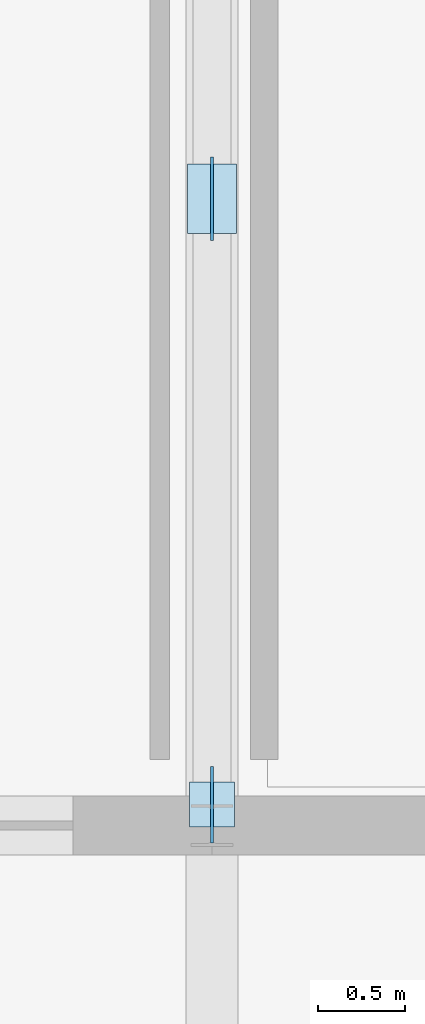
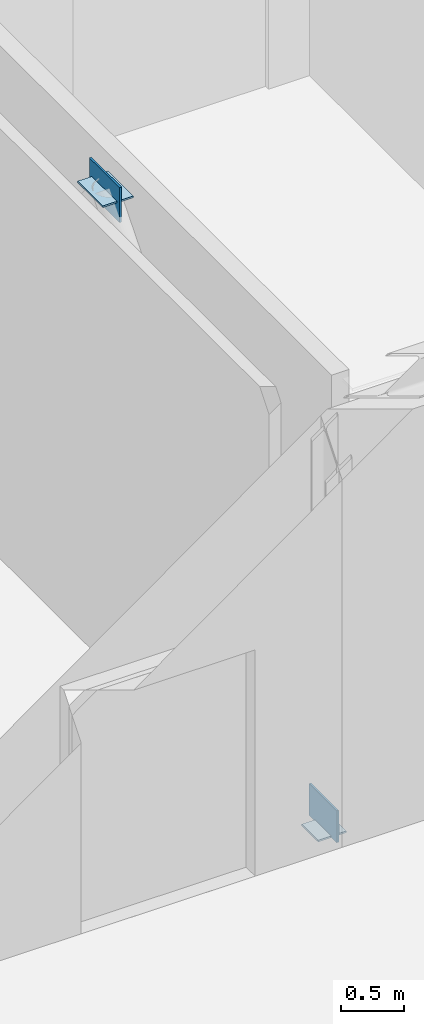
# One storey, part 31 of 53: 4 plates.
"""IFC4 building model written with IfcOpenShell, lengths in metres."""

from ifc_helpers import new_model, si_unit, direction, frame, origin, origin_2d, place, context, subcontext, project, spatial, rectangle, extrude, material, layer, layer_set, type_object, element, save


model = new_model("IFC4")

# Units and contexts
model_context = context("Model", 3, precision=1e-05, world=origin(), true_north=direction((0.0, 1.0)))
body_context = subcontext(model_context, "Body", "Model", "MODEL_VIEW")
ifc_project = project(units=[si_unit("LENGTHUNIT", "METRE"), si_unit("AREAUNIT", "SQUARE_METRE"), si_unit("VOLUMEUNIT", "CUBIC_METRE"), si_unit("PLANEANGLEUNIT", "RADIAN"), si_unit("MASSUNIT", "GRAM", prefix="KILO")], contexts=[model_context])

# Site, building, storey
site_placement = place(None, origin())
site = spatial("IfcSite", under=ifc_project, at=site_placement, CompositionType="ELEMENT")
building_placement = place(site_placement, origin())
building = spatial("IfcBuilding", under=site, at=building_placement, Name="Zarrinpeak Specialist Clinic", CompositionType="ELEMENT")
storey_placement = place(building_placement, frame((0.0, 0.0, 14.0)))
storey = spatial("IfcBuildingStorey", under=building, at=storey_placement, Name="L03", CompositionType="ELEMENT", Elevation=14.0)

# Plates
ifc_material = material(Name="Steel S355", Category="steel")
ifc_layer_1 = layer(ifc_material, 0.01611328125)
ifc_layer_set_1 = layer_set([ifc_layer_1], Name="Steel S355")
plate_type_1 = type_object("IfcPlateType", Name="PL-CAP219", PredefinedType="SHEET", material=ifc_layer_set_1)
plate_1_placement = place(storey_placement, frame((14.39990234375, 57.719970703125, 0.0009765625), z_axis=(0.0, 0.0, 1.0), x_axis=(1.0, 0.0, 0.0)))
element("IfcPlate", 1, at=plate_1_placement, inside=storey, type_object=plate_type_1, Name="V5 L03 Hollow Brace Foot Cap Plate A", PredefinedType="SHEET", context=body_context, shape_type="SweptSolid", body=[
    extrude(rectangle(XDim=0.260009765625, YDim=0.260009765625, at=origin_2d()), origin(), (0.0, 0.0, 1.0), 0.01611328125),
])
ifc_layer_2 = layer(ifc_material, 0.02001953125)
ifc_layer_set_2 = layer_set([ifc_layer_2], Name="Steel S355")
plate_type_2 = type_object("IfcPlateType", Name="PL-GN01", PredefinedType="SHEET", material=ifc_layer_set_2)
plate_2_placement = place(storey_placement, frame((14.39990234375, 61.199951171875, 3.93505859375), z_axis=(0.0, 0.0, 1.0), x_axis=(1.0, 0.0, 0.0)))
element("IfcPlate", 2, at=plate_2_placement, inside=storey, type_object=plate_type_2, Name="V5 L03 Chevron Gusset Node Plate GN-V5-L03", PredefinedType="SHEET", context=body_context, shape_type="SweptSolid", body=[
    extrude(rectangle(XDim=0.02001953125, YDim=0.47998046875, at=origin_2d()), origin(), (0.0, 0.0, 1.0), 0.340087890625),
])
ifc_layer_3 = layer(ifc_material, 0.01611328125)
ifc_layer_set_3 = layer_set([ifc_layer_3], Name="Steel S355")
plate_type_3 = type_object("IfcPlateType", Name="PL-GN02", PredefinedType="SHEET", material=ifc_layer_set_3)
plate_3_placement = place(storey_placement, frame((14.39990234375, 61.199951171875, 4.10302734375), z_axis=(0.0, 0.0, 1.0), x_axis=(1.0, 0.0, 0.0)))
element("IfcPlate", 3, at=plate_3_placement, inside=storey, type_object=plate_type_3, Name="V5 L03 Chevron Apex Seal Plate GNCAP-V5-L03", PredefinedType="SHEET", context=body_context, shape_type="SweptSolid", body=[
    extrude(rectangle(XDim=0.280029296875, YDim=0.39990234375, at=origin_2d()), origin(), (0.0, 0.0, 1.0), 0.01611328125),
])
ifc_layer_4 = layer(ifc_material, 0.01806640625)
ifc_layer_set_4 = layer_set([ifc_layer_4], Name="Steel S355")
plate_type_4 = type_object("IfcPlateType", Name="PL-GN03", PredefinedType="SHEET", material=ifc_layer_set_4)
plate_4_placement = place(storey_placement, frame((14.39990234375, 57.719970703125, 0.0048828125), z_axis=(0.0, 0.0, 1.0), x_axis=(1.0, 0.0, 0.0)))
element("IfcPlate", 4, at=plate_4_placement, inside=storey, type_object=plate_type_4, Name="V5 L03 Brace Foot Gusset Plate GNF-V5-L03-A", PredefinedType="SHEET", context=body_context, shape_type="SweptSolid", body=[
    extrude(rectangle(XDim=0.01806640625, YDim=0.43994140625, at=origin_2d()), origin(), (0.0, 0.0, 1.0), 0.31005859375),
])

save(model, "model.ifc")
